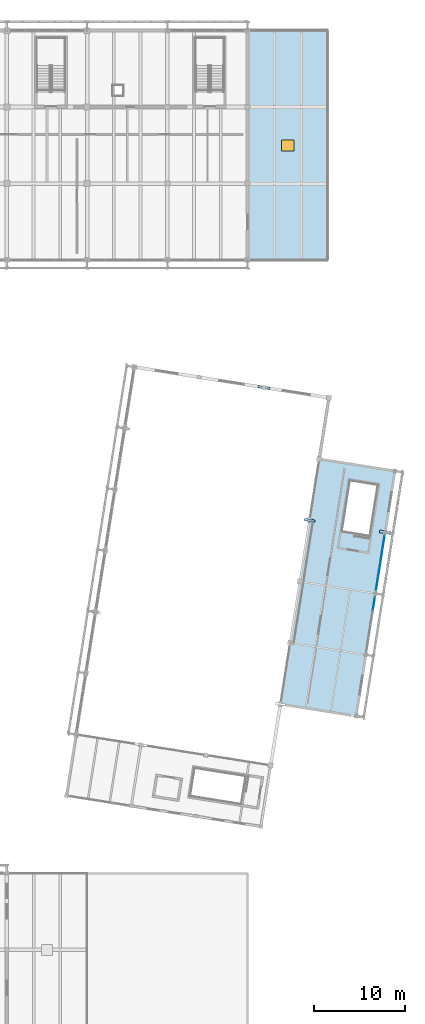
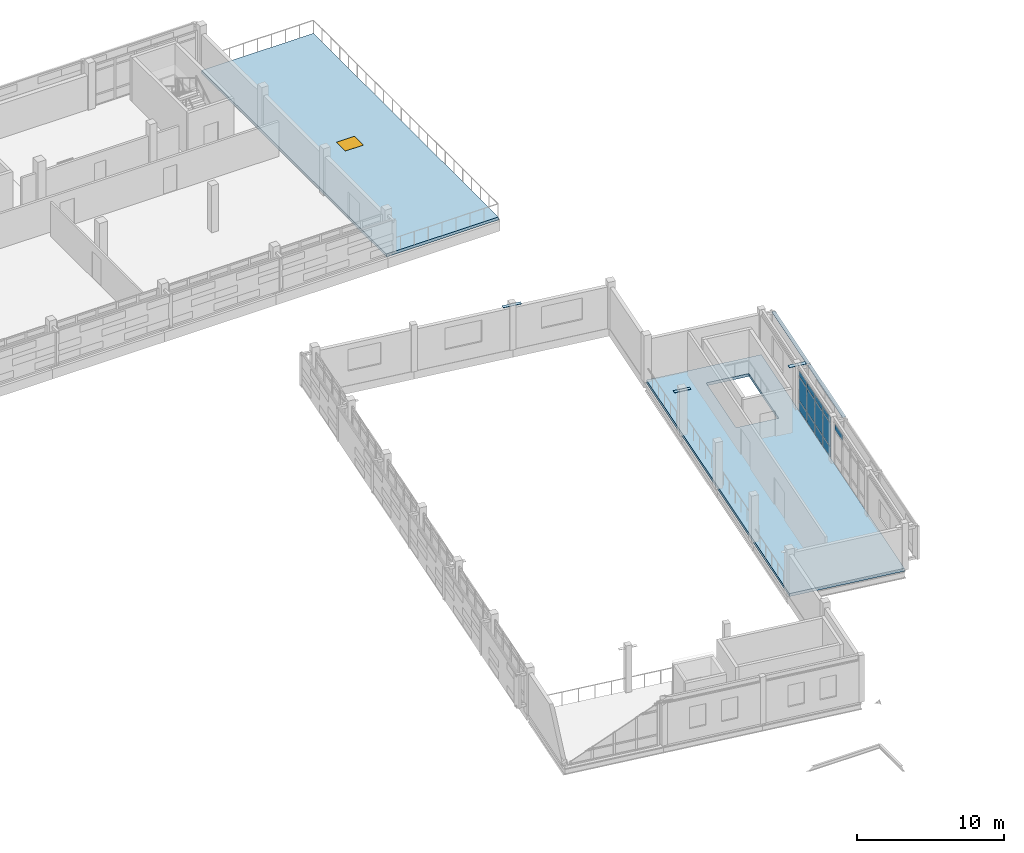
# One storey, part 92 of 117: 18 plates, 2 slabs, 1 window, 1 opening, 2 elements without a shape of their own.
"""IFC4 building model written with IfcOpenShell, lengths in metres."""

from ifc_helpers import new_model, si_unit, direction, frame, origin, origin_2d, place, context, subcontext, project, spatial, polyline, rectangle, outline, extrude, material, layer, layer_set, type_object, element, fill, aggregate, save


model = new_model("IFC4")

# Units and contexts
model_context = context("Model", 3, precision=1e-05, world=origin(), true_north=direction((0.0, 1.0)))
body_context = subcontext(model_context, "Body", "Model", "MODEL_VIEW")
ifc_project = project(units=[si_unit("LENGTHUNIT", "METRE"), si_unit("AREAUNIT", "SQUARE_METRE"), si_unit("VOLUMEUNIT", "CUBIC_METRE"), si_unit("PLANEANGLEUNIT", "RADIAN"), si_unit("MASSUNIT", "GRAM", prefix="KILO")], contexts=[model_context])

# Site, building, storey
site_placement = place(None, origin())
site = spatial("IfcSite", under=ifc_project, at=site_placement, CompositionType="ELEMENT")
building_placement = place(site_placement, origin())
building = spatial("IfcBuilding", under=site, at=building_placement, Name="Cinderway Yard Community Centre", CompositionType="ELEMENT")
storey_placement = place(building_placement, frame((0.0, 0.0, 9.0)))
storey = spatial("IfcBuildingStorey", under=building, at=storey_placement, Name="L02", CompositionType="ELEMENT", Elevation=9.0)

# Curtain wall, plate
ifc_material_1 = material(Name="Aluminium 6063-T6", Category="aluminium")
curtain_wall_type = type_object("IfcCurtainWallType", Name="ENV-CW-TYPE-19", PredefinedType="USERDEFINED", material=ifc_material_1)
curtain_wall_1_placement = place(storey_placement, origin())
curtain_wall_1 = element("IfcCurtainWall", 1, at=curtain_wall_1_placement, inside=storey, type_object=curtain_wall_type, Name="Fitness East Curtain Wall ENV-CW-L02-ST-0067", ObjectType="GLAZED CURTAIN WALL", PredefinedType="USERDEFINED")
ifc_material_2 = material(Name="Laminated Low-E Glass", Category="glass")
ifc_layer_1 = layer(ifc_material_2, 0.028076171875, Name="Laminated Low-E Glass")
ifc_layer_set_1 = layer_set([ifc_layer_1], Name="Laminated Low-E Glass")
plate_type_1 = type_object("IfcPlateType", Name="ENV-CW-PAN-IGU28", PredefinedType="CURTAIN_PANEL", material=ifc_layer_set_1)
plate_1_placement = place(storey_placement, frame((150.6455078125, 52.34228515625, 2.929931640625), z_axis=(0.0, 0.0, 1.0), x_axis=(0.156417211778, 0.987691073089, 0.0)))
plate_1 = element("IfcPlate", 2, at=plate_1_placement, type_object=plate_type_1, Name="CW-19 panel 4.3", PredefinedType="CURTAIN_PANEL", context=body_context, shape_type="SweptSolid", body=[
    extrude(rectangle(XDim=1.434814453125, YDim=0.028076171875, at=origin_2d()), origin(), (0.0, 0.0, 1.0), 0.4599609375),
])
aggregate(curtain_wall_1, [plate_1])

# Curtain wall, plates
curtain_wall_2_placement = place(storey_placement, origin())
curtain_wall_2 = element("IfcCurtainWall", 3, at=curtain_wall_2_placement, inside=storey, type_object=curtain_wall_type, Name="Fitness East Curtain Wall ENV-CW-L02-ST-0068", ObjectType="GLAZED CURTAIN WALL", PredefinedType="USERDEFINED")
plate_2_placement = place(storey_placement, frame((150.99853515625, 54.56982421875, 0.06005859375), z_axis=(0.0, 0.0, 1.0), x_axis=(0.156417211778, 0.987691073089, 0.0)))
plate_2 = element("IfcPlate", 4, at=plate_2_placement, type_object=plate_type_1, Name="CW-19 panel 1.1", PredefinedType="CURTAIN_PANEL", context=body_context, shape_type="SweptSolid", body=[
    extrude(rectangle(XDim=1.434814453125, YDim=0.028076171875, at=origin_2d()), origin(), (0.0, 0.0, 1.0), 0.81005859375),
])
plate_3_placement = place(storey_placement, frame((150.99853515625, 54.56982421875, 0.929931640625), z_axis=(0.0, 0.0, 1.0), x_axis=(0.156417211778, 0.987691073089, 0.0)))
plate_3 = element("IfcPlate", 5, at=plate_3_placement, type_object=plate_type_1, Name="CW-19 panel 1.2", PredefinedType="CURTAIN_PANEL", context=body_context, shape_type="SweptSolid", body=[
    extrude(rectangle(XDim=1.434814453125, YDim=0.028076171875, at=origin_2d()), origin(), (0.0, 0.0, 1.0), 1.93994140625),
])
plate_4_placement = place(storey_placement, frame((150.99853515625, 54.56982421875, 2.929931640625), z_axis=(0.0, 0.0, 1.0), x_axis=(0.156417211778, 0.987691073089, 0.0)))
plate_4 = element("IfcPlate", 6, at=plate_4_placement, type_object=plate_type_1, Name="CW-19 panel 1.3", PredefinedType="CURTAIN_PANEL", context=body_context, shape_type="SweptSolid", body=[
    extrude(rectangle(XDim=1.434814453125, YDim=0.028076171875, at=origin_2d()), origin(), (0.0, 0.0, 1.0), 0.4599609375),
])
plate_5_placement = place(storey_placement, frame((151.23486328125, 56.06103515625, 0.06005859375), z_axis=(0.0, 0.0, 1.0), x_axis=(0.156417211778, 0.987691073089, 0.0)))
plate_5 = element("IfcPlate", 7, at=plate_5_placement, type_object=plate_type_1, Name="CW-19 panel 2.1", PredefinedType="CURTAIN_PANEL", context=body_context, shape_type="SweptSolid", body=[
    extrude(rectangle(XDim=1.46484375, YDim=0.028076171875, at=origin_2d()), origin(), (0.0, 0.0, 1.0), 0.81005859375),
])
plate_6_placement = place(storey_placement, frame((151.23486328125, 56.06103515625, 0.929931640625), z_axis=(0.0, 0.0, 1.0), x_axis=(0.156417211778, 0.987691073089, 0.0)))
plate_6 = element("IfcPlate", 8, at=plate_6_placement, type_object=plate_type_1, Name="CW-19 panel 2.2", PredefinedType="CURTAIN_PANEL", context=body_context, shape_type="SweptSolid", body=[
    extrude(rectangle(XDim=1.46484375, YDim=0.028076171875, at=origin_2d()), origin(), (0.0, 0.0, 1.0), 1.93994140625),
])
plate_7_placement = place(storey_placement, frame((151.23486328125, 56.06103515625, 2.929931640625), z_axis=(0.0, 0.0, 1.0), x_axis=(0.156417211778, 0.987691073089, 0.0)))
plate_7 = element("IfcPlate", 9, at=plate_7_placement, type_object=plate_type_1, Name="CW-19 panel 2.3", PredefinedType="CURTAIN_PANEL", context=body_context, shape_type="SweptSolid", body=[
    extrude(rectangle(XDim=1.46484375, YDim=0.028076171875, at=origin_2d()), origin(), (0.0, 0.0, 1.0), 0.4599609375),
])
plate_8_placement = place(storey_placement, frame((151.47314453125, 57.56689453125, 0.06005859375), z_axis=(0.0, 0.0, 1.0), x_axis=(0.156417211778, 0.987691073089, 0.0)))
plate_8 = element("IfcPlate", 10, at=plate_8_placement, type_object=plate_type_1, Name="CW-19 panel 3.1", PredefinedType="CURTAIN_PANEL", context=body_context, shape_type="SweptSolid", body=[
    extrude(rectangle(XDim=1.46484375, YDim=0.028076171875, at=origin_2d()), origin(), (0.0, 0.0, 1.0), 0.81005859375),
])
plate_9_placement = place(storey_placement, frame((151.47314453125, 57.56689453125, 0.929931640625), z_axis=(0.0, 0.0, 1.0), x_axis=(0.156417211778, 0.987691073089, 0.0)))
plate_9 = element("IfcPlate", 11, at=plate_9_placement, type_object=plate_type_1, Name="CW-19 panel 3.2", PredefinedType="CURTAIN_PANEL", context=body_context, shape_type="SweptSolid", body=[
    extrude(rectangle(XDim=1.46484375, YDim=0.028076171875, at=origin_2d()), origin(), (0.0, 0.0, 1.0), 1.93994140625),
])
plate_10_placement = place(storey_placement, frame((151.47314453125, 57.56689453125, 2.929931640625), z_axis=(0.0, 0.0, 1.0), x_axis=(0.156417211778, 0.987691073089, 0.0)))
plate_10 = element("IfcPlate", 12, at=plate_10_placement, type_object=plate_type_1, Name="CW-19 panel 3.3", PredefinedType="CURTAIN_PANEL", context=body_context, shape_type="SweptSolid", body=[
    extrude(rectangle(XDim=1.46484375, YDim=0.028076171875, at=origin_2d()), origin(), (0.0, 0.0, 1.0), 0.4599609375),
])
plate_11_placement = place(storey_placement, frame((151.70947265625, 59.05810546875, 0.06005859375), z_axis=(0.0, 0.0, 1.0), x_axis=(0.156417211778, 0.987691073089, 0.0)))
plate_11 = element("IfcPlate", 13, at=plate_11_placement, type_object=plate_type_1, Name="CW-19 panel 4.1", PredefinedType="CURTAIN_PANEL", context=body_context, shape_type="SweptSolid", body=[
    extrude(rectangle(XDim=1.434814453125, YDim=0.028076171875, at=origin_2d()), origin(), (0.0, 0.0, 1.0), 0.81005859375),
])
plate_12_placement = place(storey_placement, frame((151.70947265625, 59.05810546875, 0.929931640625), z_axis=(0.0, 0.0, 1.0), x_axis=(0.156417211778, 0.987691073089, 0.0)))
plate_12 = element("IfcPlate", 14, at=plate_12_placement, type_object=plate_type_1, Name="CW-19 panel 4.2", PredefinedType="CURTAIN_PANEL", context=body_context, shape_type="SweptSolid", body=[
    extrude(rectangle(XDim=1.434814453125, YDim=0.028076171875, at=origin_2d()), origin(), (0.0, 0.0, 1.0), 1.93994140625),
])
plate_13_placement = place(storey_placement, frame((151.70947265625, 59.05810546875, 2.929931640625), z_axis=(0.0, 0.0, 1.0), x_axis=(0.156417211778, 0.987691073089, 0.0)))
plate_13 = element("IfcPlate", 15, at=plate_13_placement, type_object=plate_type_1, Name="CW-19 panel 4.3", PredefinedType="CURTAIN_PANEL", context=body_context, shape_type="SweptSolid", body=[
    extrude(rectangle(XDim=1.434814453125, YDim=0.028076171875, at=origin_2d()), origin(), (0.0, 0.0, 1.0), 0.4599609375),
])
aggregate(curtain_wall_2, [plate_2, plate_3, plate_4, plate_5, plate_6, plate_7, plate_8, plate_9, plate_10, plate_11, plate_12, plate_13])

# Plates
ifc_layer_2 = layer(ifc_material_1, 0.01611328125, Name="Aluminium 6063-T6")
ifc_layer_set_2 = layer_set([ifc_layer_2], Name="Aluminium 6063-T6")
plate_type_2 = type_object("IfcPlateType", Name="ENV-PLT-FASCIA16", PredefinedType="USERDEFINED", material=ifc_layer_set_2)
for number, where, z_axis, x_axis, name in (
    (16, (152.194091796875, 56.680908203125, 3.411865234375), (0.0, 0.0, 1.0), (-0.15643446504, -0.987688340595, 0.0), "Screen coping fascia 0146"),
    (17, (153.257080078125, 63.39697265625, 3.411865234375), (0.0, 0.0, 1.0), (-0.15643446504, -0.987688340595, 0.0), "Screen coping fascia 0147"),
):
    element("IfcPlate", number, at=place(storey_placement, frame(where, z_axis=z_axis, x_axis=x_axis)), inside=storey, type_object=plate_type_2, Name=name, ObjectType="FASCIA PLATE", PredefinedType="USERDEFINED", context=body_context, shape_type="SweptSolid", body=[
        extrude(rectangle(XDim=6.699951171875, YDim=0.260009765625, at=origin_2d()), origin(), (0.0, 0.0, 1.0), 0.01611328125),
    ])
ifc_material_3 = material(Name="Steel S355", Category="steel")
ifc_layer_3 = layer(ifc_material_3, 0.02392578125, Name="Steel S355")
ifc_layer_set_3 = layer_set([ifc_layer_3], Name="Steel S355")
plate_type_3 = type_object("IfcPlateType", Name="STR-PLT-STIFF-17", PredefinedType="SHEET", material=ifc_layer_set_3)
plate_14_placement = place(storey_placement, frame((143.589111328125, 61.486083984375, 3.588134765625), z_axis=(0.0, 0.0, 1.0), x_axis=(0.987688340595, -0.15643446504, 0.0)))
element("IfcPlate", 18, at=plate_14_placement, inside=storey, type_object=plate_type_3, Name="Column head stiffener plate 17", PredefinedType="SHEET", context=body_context, shape_type="SweptSolid", body=[
    extrude(rectangle(XDim=1.18994140625, YDim=0.260009765625, at=origin_2d()), origin(), (0.0, 0.0, 1.0), 0.02392578125),
])
ifc_layer_4 = layer(ifc_material_3, 0.028076171875, Name="Steel S355")
ifc_layer_set_4 = layer_set([ifc_layer_4], Name="Steel S355")
plate_type_4 = type_object("IfcPlateType", Name="STR-PLT-STIFF-19", PredefinedType="SHEET", material=ifc_layer_set_4)
plate_15_placement = place(storey_placement, frame((151.885986328125, 60.172119140625, 3.5859375), z_axis=(0.0, 0.0, 1.0), x_axis=(0.987688340595, -0.15643446504, 0.0)))
element("IfcPlate", 19, at=plate_15_placement, inside=storey, type_object=plate_type_4, Name="Column head stiffener plate 19", PredefinedType="SHEET", context=body_context, shape_type="SweptSolid", body=[
    extrude(rectangle(XDim=1.25, YDim=0.31005859375, at=origin_2d()), origin(), (0.0, 0.0, 1.0), 0.028076171875),
])
ifc_layer_5 = layer(ifc_material_3, 0.028076171875, Name="Steel S355")
ifc_layer_set_5 = layer_set([ifc_layer_5], Name="Steel S355")
plate_type_5 = type_object("IfcPlateType", Name="STR-PLT-STIFF-22", PredefinedType="SHEET", material=ifc_layer_set_5)
plate_16_placement = place(storey_placement, frame((138.60498046875, 76.044921875, 3.5859375), z_axis=(0.0, 0.0, 1.0), x_axis=(0.987688340595, -0.15643446504, 0.0)))
element("IfcPlate", 20, at=plate_16_placement, inside=storey, type_object=plate_type_5, Name="Column head stiffener plate 22", PredefinedType="SHEET", context=body_context, shape_type="SweptSolid", body=[
    extrude(rectangle(XDim=1.340087890625, YDim=0.260009765625, at=origin_2d()), origin(), (0.0, 0.0, 1.0), 0.028076171875),
])

# Slab
ifc_material_4 = material(Name="Concrete C35/45", Category="concrete")
ifc_layer_6 = layer(ifc_material_4, 0.239990234375, Name="Concrete C35/45")
ifc_layer_set_6 = layer_set([ifc_layer_6], Name="Concrete C35/45")
slab_type_1 = type_object("IfcSlabType", Name="STR-SLAB-FLR-240", PredefinedType="FLOOR", material=ifc_layer_set_6)
slab_1_placement = place(storey_placement, frame((0.0, 0.0, -0.239990234375)))
element("IfcSlab", 21, at=slab_1_placement, inside=storey, type_object=slab_type_1, Name="V2 East Gallery & Fitness Slab L02 STR-SLAB-L02-025", PredefinedType="FLOOR", context=body_context, shape_type="SweptSolid", body=[
    extrude(outline(polyline([(140.39794921875, 41.3369140625), (148.694091796875, 40.02294921875), (152.948974609375, 66.887939453125), (144.653076171875, 68.201904296875), (140.39794921875, 41.3369140625)]), holes=[polyline([(150.199951171875, 59.7509765625), (151.087890625, 65.361083984375), (148.006103515625, 65.84912109375), (147.117919921875, 60.239013671875), (150.199951171875, 59.7509765625)])]), origin(), (0.0, 0.0, 1.0), 0.239990234375),
])

# Slab, opening, window
ifc_material_5 = material(Name="Concrete C40/50", Category="concrete")
ifc_layer_7 = layer(ifc_material_5, 0.239990234375, Name="Concrete C40/50")
ifc_layer_set_7 = layer_set([ifc_layer_7], Name="Concrete C40/50")
slab_type_2 = type_object("IfcSlabType", Name="STR-SLAB-TER-240", PredefinedType="FLOOR", material=ifc_layer_set_7)
slab_2_placement = place(storey_placement, frame((0.0, 0.0, -0.239990234375)))
slab_2 = element("IfcSlab", 22, at=slab_2_placement, inside=storey, type_object=slab_type_2, Name="V4 East Classroom Terrace Slab L02 STR-SLAB-L02-033", PredefinedType="FLOOR", context=body_context, shape_type="SweptSolid", body=[
    extrude(outline(polyline([(136.800048828125, 90.0), (145.60009765625, 90.0), (145.60009765625, 115.199951171875), (136.800048828125, 115.199951171875), (136.800048828125, 90.0)])), origin(), (0.0, 0.0, 1.0), 0.239990234375),
])
opening_placement = place(slab_2_placement, frame((141.199951171875, 102.60009765625, 0.0)))
opening = element("IfcOpeningElement", 23, at=opening_placement, cuts=slab_2, Name="Opening SK-02", PredefinedType="OPENING", context=body_context, shape_type="SweptSolid", body=[
    extrude(rectangle(XDim=1.39990234375, YDim=1.199951171875, at=origin_2d()), origin(), (0.0, 0.0, 1.0), 0.239990234375),
])
window_type = type_object("IfcWindowType", Name="ENV-SKY-S02", PartitioningType="SINGLE_PANEL", PredefinedType="SKYLIGHT", material=ifc_material_2)
window_placement = place(opening_placement, frame((0.0, 0.0, 0.18994140625)))
window = element("IfcWindow", 24, at=window_placement, inside=storey, type_object=window_type, Name="Terrace daylight skylight 02", OverallHeight=1.199951171875, OverallWidth=1.39990234375, PartitioningType="SINGLE_PANEL", PredefinedType="SKYLIGHT", context=body_context, shape_type="SweptSolid", body=[
    extrude(rectangle(XDim=1.39990234375, YDim=1.199951171875, at=origin_2d()), origin(), (0.0, 0.0, 1.0), 0.050048828125),
])
fill(opening, window)

save(model, "model.ifc")
